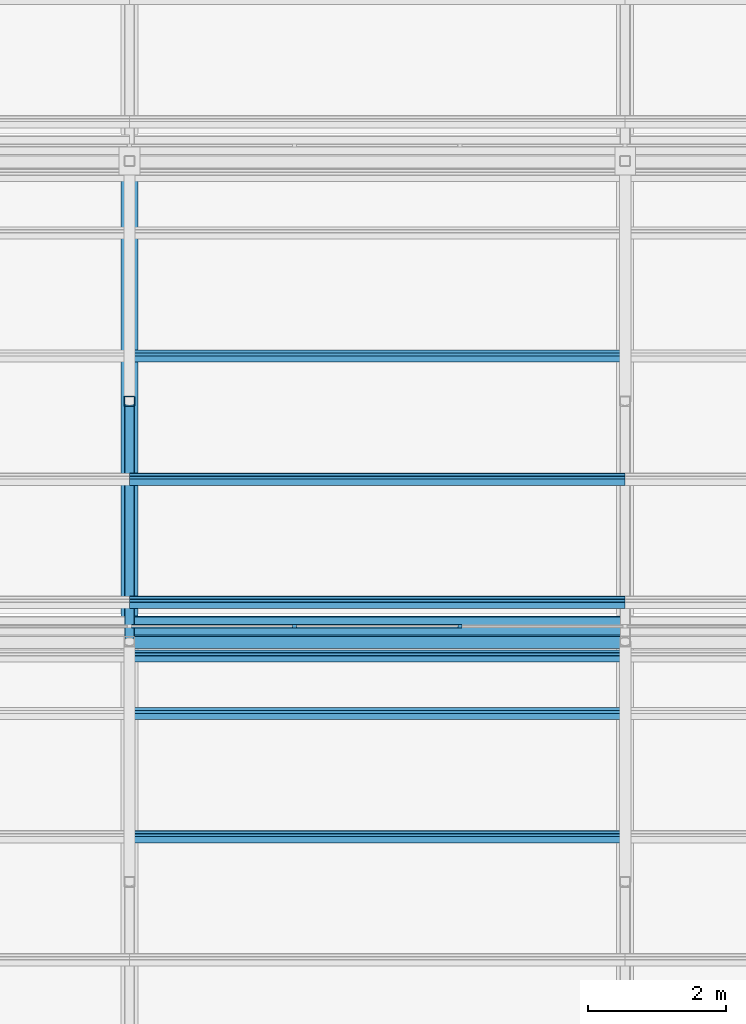
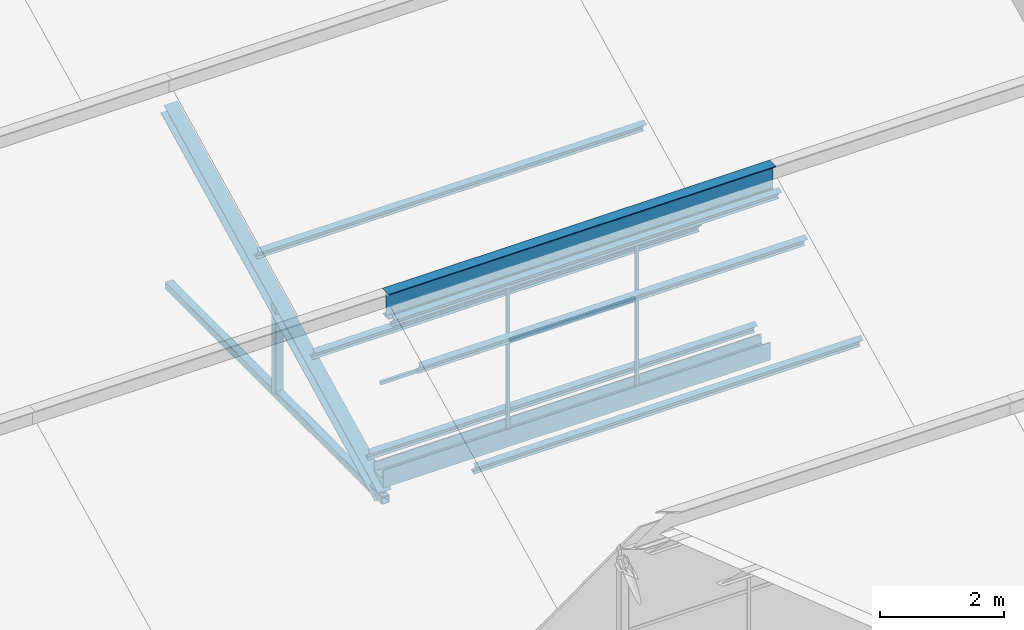
# One storey, part 36 of 83: 15 members, 1 element without a shape of its own.
"""IFC4 building model written with IfcOpenShell, lengths in metres."""

from ifc_helpers import new_model, si_unit, direction, frame, origin, origin_2d, place, context, subcontext, project, spatial, polyline, rectangle, hollow_rectangle, i_section, outline, extrude, material, material_profile, profile_set, type_object, element, aggregate, save


model = new_model("IFC4")

# Units and contexts
model_context = context("Model", 3, precision=1e-05, world=origin(), true_north=direction((0.0, 1.0)))
body_context = subcontext(model_context, "Body", "Model", "MODEL_VIEW")
ifc_project = project(units=[si_unit("LENGTHUNIT", "METRE"), si_unit("AREAUNIT", "SQUARE_METRE"), si_unit("VOLUMEUNIT", "CUBIC_METRE"), si_unit("PLANEANGLEUNIT", "RADIAN"), si_unit("MASSUNIT", "GRAM", prefix="KILO")], contexts=[model_context])

# Site, building, storey
site_placement = place(None, origin())
site = spatial("IfcSite", under=ifc_project, at=site_placement, CompositionType="ELEMENT")
building_placement = place(site_placement, origin())
building = spatial("IfcBuilding", under=site, at=building_placement, Name="Silangan Lancet Faculty of Sciences", CompositionType="ELEMENT")
storey_placement = place(building_placement, frame((0.0, 0.0, 11.39990234375)))
storey = spatial("IfcBuildingStorey", under=building, at=storey_placement, Name="L02", CompositionType="ELEMENT", Elevation=11.39990234375)

# Member
ifc_material_1 = material(Name="Steel SS400", Category="steel")
ifc_material_profile_1 = material_profile(ifc_material_1, i_section(OverallWidth=0.199951171875, OverallDepth=0.5, WebThickness=0.010009765625, FlangeThickness=0.01611328125, FilletRadius=0.02001953125, at=origin_2d()), Name="H 500x200x10x16")
ifc_profile_set_1 = profile_set([ifc_material_profile_1], Name="Steel SS400")
member_type_1 = type_object("IfcMemberType", Name="Exposed ridge beam H 500x200x10x16", PredefinedType="MEMBER", material=ifc_profile_set_1)
member_1_placement = place(storey_placement, frame((57.60009765625, 43.40673828125, 3.942626953125), z_axis=(1.0, 0.0, 0.0), x_axis=(0.0, 1.0, 0.0)))
element("IfcMember", 1, at=member_1_placement, inside=storey, type_object=member_type_1, Name="Exposed ridge beam NAB-1-5", PredefinedType="MEMBER", context=body_context, shape_type="SweptSolid", body=[
    extrude(i_section(OverallWidth=0.199951171875, OverallDepth=0.5, WebThickness=0.010009765625, FlangeThickness=0.01611328125, FilletRadius=0.02001953125, at=origin_2d()), origin(), (0.0, 0.0, 1.0), 7.199951171875),
])

# Curtain wall, members
ifc_material_2 = material(Name="Aluminium and laminated glass", Category="aluminium")
curtain_wall_type = type_object("IfcCurtainWallType", Name="North light glazing system", PredefinedType="NOTDEFINED", material=ifc_material_2)
curtain_wall_placement = place(storey_placement, origin())
curtain_wall = element("IfcCurtainWall", 2, at=curtain_wall_placement, inside=storey, type_object=curtain_wall_type, Name="North light glazing NAB-1-5", PredefinedType="NOTDEFINED")
ifc_material_3 = material(Name="Aluminium 6063-T6", Category="aluminium")
ifc_material_profile_2 = material_profile(ifc_material_3, rectangle(XDim=0.06005859375, YDim=0.050048828125, at=origin_2d()), Name="AL 60x50")
ifc_profile_set_2 = profile_set([ifc_material_profile_2], Name="Aluminium 6063-T6")
member_type_2 = type_object("IfcMemberType", Name="North light mullion 60x50", PredefinedType="MULLION", material=ifc_profile_set_2)
member_2_placement = place(storey_placement, frame((60.0, 43.631591796875, 0.4423828125), z_axis=(0.0, 0.0, 1.0), x_axis=(1.0, 0.0, 0.0)))
member_2 = element("IfcMember", 3, at=member_2_placement, type_object=member_type_2, Name="North light mullion NAB-1-5 2", PredefinedType="MULLION", context=body_context, shape_type="SweptSolid", body=[
    extrude(rectangle(XDim=0.06005859375, YDim=0.050048828125, at=origin_2d()), origin(), (0.0, 0.0, 1.0), 3.60595703125),
])
member_3_placement = place(storey_placement, frame((62.39990234375, 43.631591796875, 0.4423828125), z_axis=(0.0, 0.0, 1.0), x_axis=(1.0, 0.0, 0.0)))
member_3 = element("IfcMember", 4, at=member_3_placement, type_object=member_type_2, Name="North light mullion NAB-1-5 3", PredefinedType="MULLION", context=body_context, shape_type="SweptSolid", body=[
    extrude(rectangle(XDim=0.06005859375, YDim=0.050048828125, at=origin_2d()), origin(), (0.0, 0.0, 1.0), 3.60595703125),
])
ifc_material_4 = material(Name="Aluminium 6063-T6", Category="aluminium")
ifc_material_profile_3 = material_profile(ifc_material_4, rectangle(XDim=0.050048828125, YDim=0.06005859375, at=origin_2d()), Name="AL 50x60")
ifc_profile_set_3 = profile_set([ifc_material_profile_3], Name="Aluminium 6063-T6")
member_type_3 = type_object("IfcMemberType", Name="North light transom 50x60", PredefinedType="USERDEFINED", material=ifc_profile_set_3)
member_4_placement = place(storey_placement, frame((57.6298828125, 43.631591796875, 2.245361328125), z_axis=(1.0, 0.0, 0.0), x_axis=(0.0, 1.0, 0.0)))
member_4 = element("IfcMember", 5, at=member_4_placement, type_object=member_type_3, Name="North light transom NAB-1-5 1", ObjectType="TRANSOM", PredefinedType="USERDEFINED", context=body_context, shape_type="SweptSolid", body=[
    extrude(rectangle(XDim=0.050048828125, YDim=0.06005859375, at=origin_2d()), origin(), (0.0, 0.0, 1.0), 2.340087890625),
])
member_5_placement = place(storey_placement, frame((60.030029296875, 43.631591796875, 2.245361328125), z_axis=(1.0, 0.0, 0.0), x_axis=(0.0, 1.0, 0.0)))
member_5 = element("IfcMember", 6, at=member_5_placement, type_object=member_type_3, Name="North light transom NAB-1-5 2", ObjectType="TRANSOM", PredefinedType="USERDEFINED", context=body_context, shape_type="SweptSolid", body=[
    extrude(rectangle(XDim=0.050048828125, YDim=0.06005859375, at=origin_2d()), origin(), (0.0, 0.0, 1.0), 2.340087890625),
])
aggregate(curtain_wall, [member_2, member_3, member_4, member_5])

# Members
ifc_material_5 = material(Name="Steel SS400", Category="steel")
ifc_material_profile_4 = material_profile(ifc_material_5, i_section(OverallWidth=0.10009765625, OverallDepth=0.199951171875, WebThickness=0.005615234375, FlangeThickness=0.008056640625, FilletRadius=0.008056640625, at=origin_2d()), Name="H 200x100x5.5x8")
ifc_profile_set_4 = profile_set([ifc_material_profile_4], Name="Steel SS400")
member_type_4 = type_object("IfcMemberType", Name="Sheeting purlin H 200x100x5.5x8", PredefinedType="PURLIN", material=ifc_profile_set_4)
for number, where, z_axis, x_axis, name in (
    (7, (57.60009765625, 40.572998046875, 2.420654296875), (1.0, 0.0, 0.0), (0.0, 0.894427192382, 0.447213592736), "Sheeting purlin NAB-1-5 3"),
    (8, (57.60009765625, 42.36181640625, 3.31494140625), (1.0, 0.0, 0.0), (0.0, 0.894427192382, 0.447213592736), "Sheeting purlin NAB-1-5 4"),
    (9, (57.60009765625, 43.19873046875, 3.7333984375), (1.0, 0.0, 0.0), (0.0, 0.894427192382, 0.447213592736), "Sheeting purlin NAB-1-5 5"),
    (10, (57.60009765625, 43.976806640625, 0.6318359375), (1.0, 0.0, 0.0), (0.0, 0.894427192382, 0.447213592736), "Sheeting purlin NAB-2-5 1"),
    (11, (57.60009765625, 45.765625, 1.526123046875), (1.0, 0.0, 0.0), (0.0, 0.894427192382, 0.447213592736), "Sheeting purlin NAB-2-5 2"),
    (12, (57.60009765625, 47.5546875, 2.420654296875), (1.0, 0.0, 0.0), (0.0, 0.894427192382, 0.447213592736), "Sheeting purlin NAB-2-5 3"),
):
    element("IfcMember", number, at=place(storey_placement, frame(where, z_axis=z_axis, x_axis=x_axis)), inside=storey, type_object=member_type_4, Name=name, PredefinedType="PURLIN", context=body_context, shape_type="SweptSolid", body=[
        extrude(i_section(OverallWidth=0.10009765625, OverallDepth=0.199951171875, WebThickness=0.005615234375, FlangeThickness=0.008056640625, FilletRadius=0.008056640625, at=origin_2d()), origin(), (0.0, 0.0, 1.0), 7.199951171875),
    ])
ifc_material_6 = material(Name="Steel STKR400", Category="steel")
ifc_material_profile_5 = material_profile(ifc_material_6, hollow_rectangle(XDim=0.14990234375, YDim=0.14990234375, WallThickness=0.009033203125, InnerFilletRadius=0.009033203125, OuterFilletRadius=0.01806640625, at=origin_2d()), Name="SHS 150x150x9.0")
ifc_profile_set_5 = profile_set([ifc_material_profile_5], Name="Steel STKR400")
member_type_5 = type_object("IfcMemberType", Name="Truss bottom chord SHS 150x150x9.0", PredefinedType="CHORD", material=ifc_profile_set_5)
member_6_placement = place(storey_placement, frame((57.60009765625, 43.40673828125, 0.09521484375), z_axis=(0.0, 1.0, 0.0), x_axis=(-1.0, 0.0, 0.0)))
element("IfcMember", 13, at=member_6_placement, inside=storey, type_object=member_type_5, Name="Truss 5 bottom chord 2", PredefinedType="CHORD", context=body_context, shape_type="SweptSolid", body=[
    extrude(hollow_rectangle(XDim=0.14990234375, YDim=0.14990234375, WallThickness=0.009033203125, InnerFilletRadius=0.009033203125, OuterFilletRadius=0.01806640625, at=origin_2d()), origin(), (0.0, 0.0, 1.0), 6.9814453125),
])
ifc_material_7 = material(Name="Steel STKR400", Category="steel")
ifc_material_profile_6 = material_profile(ifc_material_7, hollow_rectangle(XDim=0.14990234375, YDim=0.14990234375, WallThickness=0.006103515625, InnerFilletRadius=0.006103515625, OuterFilletRadius=0.011962890625, at=origin_2d()), Name="SHS 150x150x6.0")
ifc_profile_set_6 = profile_set([ifc_material_profile_6], Name="Steel STKR400")
member_type_6 = type_object("IfcMemberType", Name="Truss post SHS 150x150x6.0", PredefinedType="POST", material=ifc_profile_set_6)
member_7_placement = place(storey_placement, frame((57.60009765625, 46.8974609375, 0.09521484375), z_axis=(0.0, 0.0, 1.0), x_axis=(1.0, 0.0, 0.0)))
element("IfcMember", 14, at=member_7_placement, inside=storey, type_object=member_type_6, Name="Truss 5 mid post 2", PredefinedType="POST", context=body_context, shape_type="SweptSolid", body=[
    extrude(hollow_rectangle(XDim=0.14990234375, YDim=0.14990234375, WallThickness=0.006103515625, InnerFilletRadius=0.006103515625, OuterFilletRadius=0.011962890625, at=origin_2d()), origin(), (0.0, 0.0, 1.0), 1.745361328125),
])
ifc_material_8 = material(Name="Steel SS400", Category="steel")
ifc_material_profile_7 = material_profile(ifc_material_8, i_section(OverallWidth=0.25, OverallDepth=0.25, WebThickness=0.009033203125, FlangeThickness=0.013916015625, FilletRadius=0.01611328125, at=origin_2d()), Name="H 250x250x9x14")
ifc_profile_set_7 = profile_set([ifc_material_profile_7], Name="Steel SS400")
member_type_7 = type_object("IfcMemberType", Name="Truss top chord H 250x250x9x14", PredefinedType="CHORD", material=ifc_profile_set_7)
member_8_placement = place(storey_placement, frame((57.60009765625, 43.4873046875, 0.13525390625), z_axis=(0.0, 0.894414533534, 0.447238909537), x_axis=(-1.0, 0.0, 0.0)))
element("IfcMember", 15, at=member_8_placement, inside=storey, type_object=member_type_7, Name="Truss 5 top chord 2", PredefinedType="CHORD", context=body_context, shape_type="SweptSolid", body=[
    extrude(i_section(OverallWidth=0.25, OverallDepth=0.25, WebThickness=0.009033203125, FlangeThickness=0.013916015625, FilletRadius=0.01611328125, at=origin_2d()), origin(), (0.0, 0.0, 1.0), 7.715576171875),
])
ifc_material_9 = material(Name="Stainless steel", Category="steel")
ifc_material_profile_8 = material_profile(ifc_material_9, outline(polyline([(-0.14990234375, 0.0), (0.14990234375, 0.14990234375), (0.14990234375, 0.35009765625), (0.1298828125, 0.35009765625), (0.1298828125, 0.169921875), (-0.1298828125, 0.169921875), (-0.1298828125, 0.35009765625), (-0.14990234375, 0.35009765625), (-0.14990234375, 0.0)])), Name="valley gutter")
ifc_profile_set_8 = profile_set([ifc_material_profile_8], Name="Stainless steel")
member_type_8 = type_object("IfcMemberType", Name="Valley gutter 300 wide", PredefinedType="USERDEFINED", material=ifc_profile_set_8)
member_9_placement = place(storey_placement, frame((57.60009765625, 43.631591796875, 0.2724609375), z_axis=(1.0, 0.0, 0.0), x_axis=(0.0, 1.0, 0.0)))
element("IfcMember", 16, at=member_9_placement, inside=storey, type_object=member_type_8, Name="Valley gutter NAB-2-5", ObjectType="GUTTER", PredefinedType="USERDEFINED", context=body_context, shape_type="SweptSolid", body=[
    extrude(outline(polyline([(-0.14990234375, 0.0), (0.14990234375, 0.14990234375), (0.14990234375, 0.35009765625), (0.1298828125, 0.35009765625), (0.1298828125, 0.169921875), (-0.1298828125, 0.169921875), (-0.1298828125, 0.35009765625), (-0.14990234375, 0.35009765625), (-0.14990234375, 0.0)])), origin(), (0.0, 0.0, 1.0), 7.199951171875),
])

save(model, "model.ifc")
